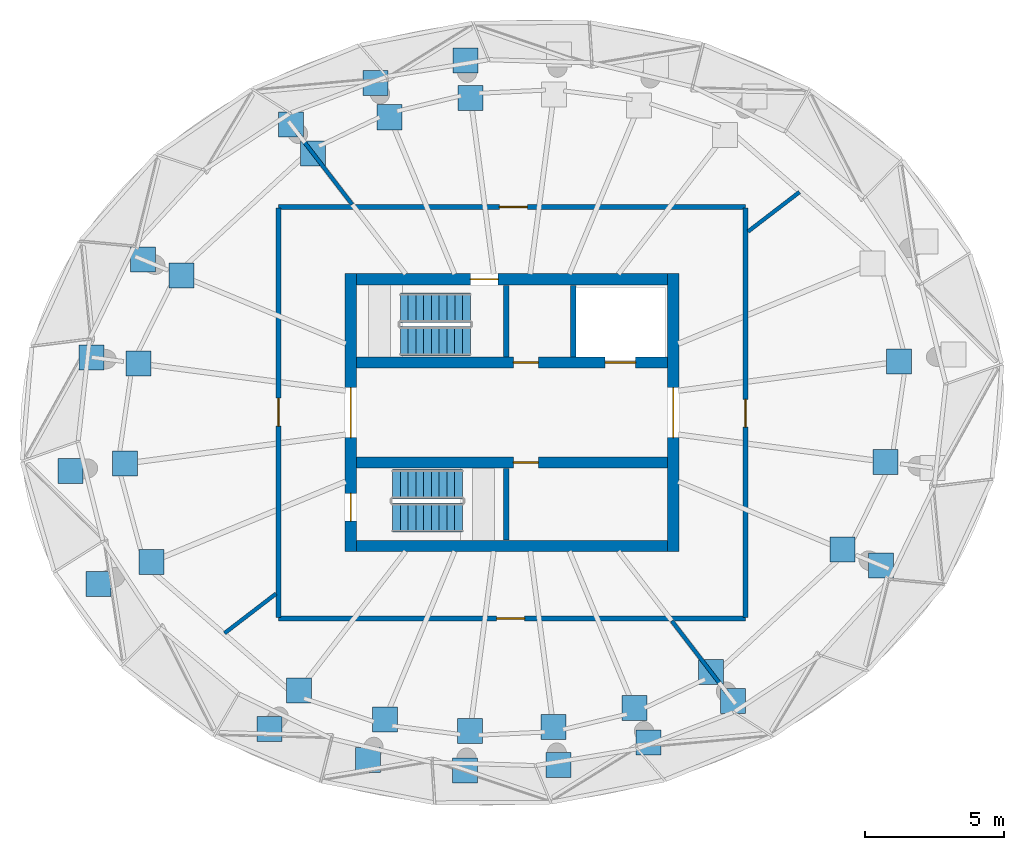
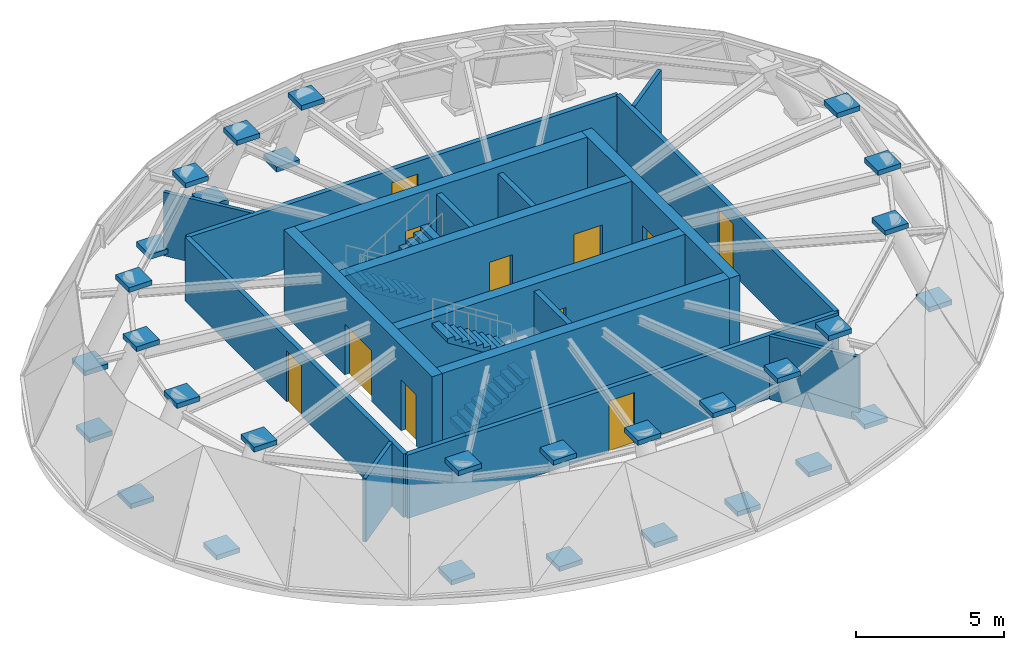
# One storey, part 7 of 9: 30 discrete accessories, 17 walls, 11 doors, 4 stair flights, 11 openings, 2 elements without a shape of their own.
"""IFC4 building model written with IfcOpenShell, lengths in metres."""

from ifc_helpers import new_model, si_unit, direction, frame, frame_2d, origin, origin_2d, place, context, subcontext, project, spatial, line, indexed_curve, rectangle, outline, extrude, source, transform, mapped, material, layer, layer_set, type_object, element, fill, aggregate, save


model = new_model("IFC4")

# Units and contexts
model_context = context("Model", 3, precision=1e-05, world=origin(), true_north=direction((0.0, 1.0)))
body_context = subcontext(model_context, "Body", "Model", "MODEL_VIEW")
ifc_project = project(units=[si_unit("LENGTHUNIT", "METRE"), si_unit("AREAUNIT", "SQUARE_METRE"), si_unit("VOLUMEUNIT", "CUBIC_METRE"), si_unit("PLANEANGLEUNIT", "RADIAN"), si_unit("MASSUNIT", "GRAM", prefix="KILO")], contexts=[model_context])

# Site, building, storey
site_placement = place(None, origin())
site = spatial("IfcSite", under=ifc_project, at=site_placement, CompositionType="ELEMENT")
building_placement = place(site_placement, origin())
building = spatial("IfcBuilding", under=site, at=building_placement, Name="Spindrift Exchange Tower", CompositionType="ELEMENT")
storey_placement = place(building_placement, frame((0.0, 0.0, 276.60009765625)))
storey = spatial("IfcBuildingStorey", under=building, at=storey_placement, Name="L68", CompositionType="ELEMENT", Elevation=276.60009765625)

# Wall, opening, door
ifc_material_1 = material(Name="Concrete 40 MPa", Category="concrete")
ifc_layer_1 = layer(ifc_material_1, 0.39990234375)
ifc_layer_set_1 = layer_set([ifc_layer_1], Name="RC Core Wall 400 Concrete 40 MPa")
wall_type_1 = type_object("IfcWallType", Name="RC Core Wall 400 Concrete 40 MPa", PredefinedType="SHEAR", material=ifc_layer_set_1)
wall_1_placement = place(storey_placement, frame((57.800048828125, 43.0, 0.0), z_axis=(0.0, 0.0, 1.0), x_axis=(0.0, 1.0, 0.0)))
wall_1 = element("IfcWall", 1, at=wall_1_placement, inside=storey, type_object=wall_type_1, Name="Core wall E L68", PredefinedType="SHEAR", context=body_context, shape_type="SweptSolid", body=[
    extrude(rectangle(XDim=10.0, YDim=0.39990234375, at=frame_2d((5.0, 0.0))), origin(), (0.0, 0.0, 1.0), 3.5),
])
opening_1_placement = place(wall_1_placement, frame((4.10009765625, 0.0, 0.0)))
opening_1 = element("IfcOpeningElement", 2, at=opening_1_placement, cuts=wall_1, Name="Opening L68-D2", PredefinedType="OPENING", context=body_context, shape_type="SweptSolid", body=[
    extrude(rectangle(XDim=1.800048828125, YDim=2.10009765625, at=frame_2d((0.89990234375, 1.050048828125))), frame((0.0, 0.2099609375, 0.0), z_axis=(0.0, -1.0, 0.0), x_axis=(1.0, 0.0, 0.0)), (0.0, 0.0, 1.0), 0.419921875),
])
ifc_material_2 = material(Name="Timber-core fire door", Category="wood")
door_type_1 = type_object("IfcDoorType", Name="DR-LOBBY-1800", OperationType="NOTDEFINED", PredefinedType="DOOR", material=ifc_material_2)
shared_shape_1 = source(origin(), body_context, "Body", "SweptSolid", [
    extrude(rectangle(XDim=1.800048828125, YDim=2.10009765625, at=frame_2d((0.89990234375, 1.050048828125))), frame((0.0, 0.02490234375, 0.0), z_axis=(0.0, -1.0, 0.0), x_axis=(1.0, 0.0, 0.0)), (0.0, 0.0, 1.0), 0.050048828125),
])
door_1_placement = place(opening_1_placement, origin())
door_1 = element("IfcDoor", 3, at=door_1_placement, inside=storey, type_object=door_type_1, Name="L68 Lobby door 2", OperationType="SINGLE_SWING_RIGHT", OverallHeight=2.10009765625, OverallWidth=1.800048828125, PredefinedType="DOOR", context=body_context, shape_type="MappedRepresentation", body=[
    mapped(shared_shape_1, transform((0.0, 0.0, 0.0), scale=1.0)),
])
fill(opening_1, door_1)

# Wall, openings, doors
wall_2_placement = place(storey_placement, frame((46.199951171875, 53.0, 0.0), z_axis=(0.0, 0.0, 1.0), x_axis=(0.0, -1.0, 0.0)))
wall_2 = element("IfcWall", 4, at=wall_2_placement, inside=storey, type_object=wall_type_1, Name="Core wall W L68", PredefinedType="SHEAR", context=body_context, shape_type="SweptSolid", body=[
    extrude(rectangle(XDim=10.0, YDim=0.39990234375, at=frame_2d((5.0, 0.0))), origin(), (0.0, 0.0, 1.0), 3.5),
])
opening_2_placement = place(wall_2_placement, frame((4.10009765625, 0.0, 0.0)))
opening_2 = element("IfcOpeningElement", 5, at=opening_2_placement, cuts=wall_2, Name="Opening L68-D1", PredefinedType="OPENING", context=body_context, shape_type="SweptSolid", body=[
    extrude(rectangle(XDim=1.800048828125, YDim=2.10009765625, at=frame_2d((0.89990234375, 1.050048828125))), frame((0.0, 0.2099609375, 0.0), z_axis=(0.0, -1.0, 0.0), x_axis=(1.0, 0.0, 0.0)), (0.0, 0.0, 1.0), 0.419921875),
])
opening_3_placement = place(wall_2_placement, frame((7.89990234375, 0.0, 0.0)))
opening_3 = element("IfcOpeningElement", 6, at=opening_3_placement, cuts=wall_2, Name="Opening L68-D4", PredefinedType="OPENING", context=body_context, shape_type="SweptSolid", body=[
    extrude(rectangle(XDim=1.0, YDim=2.10009765625, at=frame_2d((0.5, 1.050048828125))), frame((0.0, 0.2099609375, 0.0), z_axis=(0.0, -1.0, 0.0), x_axis=(1.0, 0.0, 0.0)), (0.0, 0.0, 1.0), 0.419921875),
])
door_2_placement = place(opening_2_placement, origin())
door_2 = element("IfcDoor", 7, at=door_2_placement, inside=storey, type_object=door_type_1, Name="L68 Lobby door 1", OperationType="SINGLE_SWING_LEFT", OverallHeight=2.10009765625, OverallWidth=1.800048828125, PredefinedType="DOOR", context=body_context, shape_type="MappedRepresentation", body=[
    mapped(shared_shape_1, transform((0.0, 0.0, 0.0), scale=1.0)),
])
fill(opening_2, door_2)
ifc_material_3 = material(Name="Steel fire door", Category="steel")
door_type_2 = type_object("IfcDoorType", Name="DR-STAIR-1000", OperationType="NOTDEFINED", PredefinedType="DOOR", material=ifc_material_3)
shared_shape_2 = source(origin(), body_context, "Body", "SweptSolid", [
    extrude(rectangle(XDim=1.0, YDim=2.10009765625, at=frame_2d((0.5, 1.050048828125))), frame((0.0, 0.02490234375, 0.0), z_axis=(0.0, -1.0, 0.0), x_axis=(1.0, 0.0, 0.0)), (0.0, 0.0, 1.0), 0.050048828125),
])
door_3_placement = place(opening_3_placement, origin())
door_3 = element("IfcDoor", 8, at=door_3_placement, inside=storey, type_object=door_type_2, Name="L68 Stair door 4", OperationType="SINGLE_SWING_RIGHT", OverallHeight=2.10009765625, OverallWidth=1.0, PredefinedType="DOOR", context=body_context, shape_type="MappedRepresentation", body=[
    mapped(shared_shape_2, transform((0.0, 0.0, 0.0), scale=1.0)),
])
fill(opening_3, door_3)

# Wall
wall_3_placement = place(storey_placement, frame((46.39990234375, 43.199951171875, 0.0), z_axis=(0.0, 0.0, 1.0), x_axis=(1.0, 0.0, 0.0)))
element("IfcWall", 9, at=wall_3_placement, inside=storey, type_object=wall_type_1, Name="Core wall S L68", PredefinedType="SHEAR", context=body_context, shape_type="SweptSolid", body=[
    extrude(rectangle(XDim=11.2001953125, YDim=0.39990234375, at=frame_2d((5.60009765625, 0.0))), origin(), (0.0, 0.0, 1.0), 3.5),
])

# Wall, opening, door
wall_4_placement = place(storey_placement, frame((57.60009765625, 52.800048828125, 0.0), z_axis=(0.0, 0.0, 1.0), x_axis=(-1.0, 0.0, 0.0)))
wall_4 = element("IfcWall", 10, at=wall_4_placement, inside=storey, type_object=wall_type_1, Name="Core wall N L68", PredefinedType="SHEAR", context=body_context, shape_type="SweptSolid", body=[
    extrude(rectangle(XDim=11.2001953125, YDim=0.39990234375, at=frame_2d((5.60009765625, 0.0))), origin(), (0.0, 0.0, 1.0), 3.5),
])
opening_4_placement = place(wall_4_placement, frame((6.10009765625, 0.0, 0.0)))
opening_4 = element("IfcOpeningElement", 11, at=opening_4_placement, cuts=wall_4, Name="Opening L68-D3", PredefinedType="OPENING", context=body_context, shape_type="SweptSolid", body=[
    extrude(rectangle(XDim=1.0, YDim=2.10009765625, at=frame_2d((0.5, 1.050048828125))), frame((0.0, 0.2099609375, 0.0), z_axis=(0.0, -1.0, 0.0), x_axis=(1.0, 0.0, 0.0)), (0.0, 0.0, 1.0), 0.419921875),
])
door_4_placement = place(opening_4_placement, origin())
door_4 = element("IfcDoor", 12, at=door_4_placement, inside=storey, type_object=door_type_2, Name="L68 Stair door 3", OperationType="SINGLE_SWING_LEFT", OverallHeight=2.10009765625, OverallWidth=1.0, PredefinedType="DOOR", context=body_context, shape_type="MappedRepresentation", body=[
    mapped(shared_shape_2, transform((0.0, 0.0, 0.0), scale=1.0)),
])
fill(opening_4, door_4)

# Wall, openings, doors
ifc_layer_2 = layer(ifc_material_1, 0.39990234375)
ifc_layer_set_2 = layer_set([ifc_layer_2], Name="RC Spine Wall 400 Concrete 40 MPa")
wall_type_2 = type_object("IfcWallType", Name="RC Spine Wall 400 Concrete 40 MPa", PredefinedType="SHEAR", material=ifc_layer_set_2)
wall_5_placement = place(storey_placement, frame((46.39990234375, 49.800048828125, 0.0), z_axis=(0.0, 0.0, 1.0), x_axis=(1.0, 0.0, 0.0)))
wall_5 = element("IfcWall", 13, at=wall_5_placement, inside=storey, type_object=wall_type_2, Name="Core spine wall N L68", PredefinedType="SHEAR", context=body_context, shape_type="SweptSolid", body=[
    extrude(rectangle(XDim=11.2001953125, YDim=0.39990234375, at=frame_2d((5.60009765625, 0.0))), origin(), (0.0, 0.0, 1.0), 3.5),
])
opening_5_placement = place(wall_5_placement, frame((8.949951171875, 0.0, 0.0)))
opening_5 = element("IfcOpeningElement", 14, at=opening_5_placement, cuts=wall_5, Name="Opening L68-D5", PredefinedType="OPENING", context=body_context, shape_type="SweptSolid", body=[
    extrude(rectangle(XDim=1.10009765625, YDim=2.10009765625, at=frame_2d((0.550048828125, 1.050048828125))), frame((0.0, 0.2099609375, 0.0), z_axis=(0.0, -1.0, 0.0), x_axis=(1.0, 0.0, 0.0)), (0.0, 0.0, 1.0), 0.419921875),
])
opening_6_placement = place(wall_5_placement, frame((5.64990234375, 0.0, 0.0)))
opening_6 = element("IfcOpeningElement", 15, at=opening_6_placement, cuts=wall_5, Name="Opening L68-D10", PredefinedType="OPENING", context=body_context, shape_type="SweptSolid", body=[
    extrude(rectangle(XDim=0.89990234375, YDim=2.10009765625, at=frame_2d((0.449951171875, 1.050048828125))), frame((0.0, 0.2099609375, 0.0), z_axis=(0.0, -1.0, 0.0), x_axis=(1.0, 0.0, 0.0)), (0.0, 0.0, 1.0), 0.419921875),
])
ifc_material_4 = material(Name="Stainless steel landing door", Category="steel")
door_type_3 = type_object("IfcDoorType", Name="DR-LANDING-1100-SL", OperationType="DOUBLE_DOOR_SLIDING", PredefinedType="USERDEFINED", material=ifc_material_4)
shared_shape_3 = source(origin(), body_context, "Body", "SweptSolid", [
    extrude(rectangle(XDim=1.10009765625, YDim=2.10009765625, at=frame_2d((0.550048828125, 1.050048828125))), frame((0.0, 0.02490234375, 0.0), z_axis=(0.0, -1.0, 0.0), x_axis=(1.0, 0.0, 0.0)), (0.0, 0.0, 1.0), 0.050048828125),
])
door_5_placement = place(opening_5_placement, origin())
door_5 = element("IfcDoor", 16, at=door_5_placement, inside=storey, type_object=door_type_3, Name="L68 Lift landing door 5", ObjectType="LANDING DOOR", OperationType="DOUBLE_DOOR_SLIDING", OverallHeight=2.10009765625, OverallWidth=1.10009765625, PredefinedType="USERDEFINED", context=body_context, shape_type="MappedRepresentation", body=[
    mapped(shared_shape_3, transform((0.0, 0.0, 0.0), scale=1.0)),
])
fill(opening_5, door_5)
ifc_material_5 = material(Name="Steel access door", Category="steel")
door_type_4 = type_object("IfcDoorType", Name="DR-RISER-900", OperationType="NOTDEFINED", PredefinedType="DOOR", material=ifc_material_5)
shared_shape_4 = source(origin(), body_context, "Body", "SweptSolid", [
    extrude(rectangle(XDim=0.89990234375, YDim=2.10009765625, at=frame_2d((0.449951171875, 1.050048828125))), frame((0.0, 0.02490234375, 0.0), z_axis=(0.0, -1.0, 0.0), x_axis=(1.0, 0.0, 0.0)), (0.0, 0.0, 1.0), 0.050048828125),
])
door_6_placement = place(opening_6_placement, origin())
door_6 = element("IfcDoor", 17, at=door_6_placement, inside=storey, type_object=door_type_4, Name="L68 Riser door 10", OperationType="SINGLE_SWING_LEFT", OverallHeight=2.10009765625, OverallWidth=0.89990234375, PredefinedType="DOOR", context=body_context, shape_type="MappedRepresentation", body=[
    mapped(shared_shape_4, transform((0.0, 0.0, 0.0), scale=1.0)),
])
fill(opening_6, door_6)

# Wall, opening, door
wall_6_placement = place(storey_placement, frame((46.39990234375, 46.199951171875, 0.0), z_axis=(0.0, 0.0, 1.0), x_axis=(1.0, 0.0, 0.0)))
wall_6 = element("IfcWall", 18, at=wall_6_placement, inside=storey, type_object=wall_type_2, Name="Core spine wall S L68", PredefinedType="SHEAR", context=body_context, shape_type="SweptSolid", body=[
    extrude(rectangle(XDim=11.2001953125, YDim=0.39990234375, at=frame_2d((5.60009765625, 0.0))), origin(), (0.0, 0.0, 1.0), 3.5),
])
opening_7_placement = place(wall_6_placement, frame((5.64990234375, 0.0, 0.0)))
opening_7 = element("IfcOpeningElement", 19, at=opening_7_placement, cuts=wall_6, Name="Opening L68-D11", PredefinedType="OPENING", context=body_context, shape_type="SweptSolid", body=[
    extrude(rectangle(XDim=0.89990234375, YDim=2.10009765625, at=frame_2d((0.449951171875, 1.050048828125))), frame((0.0, 0.2099609375, 0.0), z_axis=(0.0, -1.0, 0.0), x_axis=(1.0, 0.0, 0.0)), (0.0, 0.0, 1.0), 0.419921875),
])
door_7_placement = place(opening_7_placement, origin())
door_7 = element("IfcDoor", 20, at=door_7_placement, inside=storey, type_object=door_type_4, Name="L68 Riser door 11", OperationType="SINGLE_SWING_RIGHT", OverallHeight=2.10009765625, OverallWidth=0.89990234375, PredefinedType="DOOR", context=body_context, shape_type="MappedRepresentation", body=[
    mapped(shared_shape_4, transform((0.0, 0.0, 0.0), scale=1.0)),
])
fill(opening_7, door_7)

# Walls
ifc_material_6 = material(Name="Fire-rated plasterboard partition", Category="gypsum")
ifc_layer_3 = layer(ifc_material_6, 0.139892578125)
ifc_layer_set_3 = layer_set([ifc_layer_3], Name="W-PLANT-140")
wall_type_3 = type_object("IfcWallType", Name="W-PLANT-140", PredefinedType="PARTITIONING", material=ifc_layer_set_3)
for number, where, z_axis, x_axis, name in (
    (21, (60.489990234375, 54.5146484375, 0.0), (0.0, 0.0, 1.0), (0.793370454613, 0.608739124542, 0.0), "L68 Partition wall 8"),
    (22, (43.510009765625, 41.4853515625, 0.0), (0.0, 0.0, 1.0), (-0.793370454613, -0.608739124542, 0.0), "L68 Partition wall 9"),
):
    element("IfcWall", number, at=place(storey_placement, frame(where, z_axis=z_axis, x_axis=x_axis)), inside=storey, type_object=wall_type_3, Name=name, PredefinedType="PARTITIONING", context=body_context, shape_type="SweptSolid", body=[
        extrude(rectangle(XDim=2.33251953125, YDim=0.139892578125, at=frame_2d((1.166259765625, 0.0))), origin(), (0.0, 0.0, 1.0), 2.619873046875),
    ])
for number, where, z_axis, x_axis, name in (
    (23, (46.252685546875, 55.489990234375, 0.0), (0.0, 0.0, 1.0), (-0.608736894437, 0.793372165728, 0.0), "L68 Partition wall 10"),
    (24, (57.747314453125, 40.510009765625, 0.0), (0.0, 0.0, 1.0), (0.608736894437, -0.793372165728, 0.0), "L68 Partition wall 11"),
):
    element("IfcWall", number, at=place(storey_placement, frame(where, z_axis=z_axis, x_axis=x_axis)), inside=storey, type_object=wall_type_3, Name=name, PredefinedType="PARTITIONING", context=body_context, shape_type="SweptSolid", body=[
        extrude(rectangle(XDim=3.272705078125, YDim=0.139892578125, at=frame_2d((1.63623046875, 0.0))), origin(), (0.0, 0.0, 1.0), 2.619873046875),
    ])

# Wall, opening, door
ifc_layer_4 = layer(ifc_material_6, 0.179931640625)
ifc_layer_set_4 = layer_set([ifc_layer_4], Name="W-PLANT-180")
wall_type_4 = type_object("IfcWallType", Name="W-PLANT-180", PredefinedType="PARTITIONING", material=ifc_layer_set_4)
wall_7_placement = place(storey_placement, frame((43.60009765625, 55.39990234375, 0.0), z_axis=(0.0, 0.0, 1.0), x_axis=(1.0, 0.0, 0.0)))
wall_7 = element("IfcWall", 25, at=wall_7_placement, inside=storey, type_object=wall_type_4, Name="L68 Partition wall 4", PredefinedType="PARTITIONING", context=body_context, shape_type="SweptSolid", body=[
    extrude(rectangle(XDim=16.7998046875, YDim=0.179931640625, at=frame_2d((8.39990234375, 0.0))), origin(), (0.0, 0.0, 1.0), 2.619873046875),
])
opening_8_placement = place(wall_7_placement, frame((7.949951171875, 0.0, 0.0)))
opening_8 = element("IfcOpeningElement", 26, at=opening_8_placement, cuts=wall_7, Name="Opening L68-D7", PredefinedType="OPENING", context=body_context, shape_type="SweptSolid", body=[
    extrude(rectangle(XDim=1.0, YDim=2.10009765625, at=frame_2d((0.5, 1.050048828125))), frame((0.0, 0.099853515625, 0.0), z_axis=(0.0, -1.0, 0.0), x_axis=(1.0, 0.0, 0.0)), (0.0, 0.0, 1.0), 0.199951171875),
])
door_type_5 = type_object("IfcDoorType", Name="DR-ROOM-1000", OperationType="NOTDEFINED", PredefinedType="DOOR", material=ifc_material_2)
shared_shape_5 = source(origin(), body_context, "Body", "SweptSolid", [
    extrude(rectangle(XDim=1.0, YDim=2.10009765625, at=frame_2d((0.5, 1.050048828125))), frame((0.0, 0.02490234375, 0.0), z_axis=(0.0, -1.0, 0.0), x_axis=(1.0, 0.0, 0.0)), (0.0, 0.0, 1.0), 0.050048828125),
])
door_8_placement = place(opening_8_placement, origin())
door_8 = element("IfcDoor", 27, at=door_8_placement, inside=storey, type_object=door_type_5, Name="L68 Door 7", OperationType="SINGLE_SWING_RIGHT", OverallHeight=2.10009765625, OverallWidth=1.0, PredefinedType="DOOR", context=body_context, shape_type="MappedRepresentation", body=[
    mapped(shared_shape_5, transform((0.0, 0.0, 0.0), scale=1.0)),
])
fill(opening_8, door_8)

wall_8_placement = place(storey_placement, frame((60.39990234375, 40.60009765625, 0.0), z_axis=(0.0, 0.0, 1.0), x_axis=(-1.0, 0.0, 0.0)))
wall_8 = element("IfcWall", 28, at=wall_8_placement, inside=storey, type_object=wall_type_4, Name="L68 Partition wall 5", PredefinedType="PARTITIONING", context=body_context, shape_type="SweptSolid", body=[
    extrude(rectangle(XDim=16.7998046875, YDim=0.179931640625, at=frame_2d((8.39990234375, 0.0))), origin(), (0.0, 0.0, 1.0), 2.619873046875),
])
opening_9_placement = place(wall_8_placement, frame((7.949951171875, 0.0, 0.0)))
opening_9 = element("IfcOpeningElement", 29, at=opening_9_placement, cuts=wall_8, Name="Opening L68-D9", PredefinedType="OPENING", context=body_context, shape_type="SweptSolid", body=[
    extrude(rectangle(XDim=1.0, YDim=2.10009765625, at=frame_2d((0.5, 1.050048828125))), frame((0.0, 0.099853515625, 0.0), z_axis=(0.0, -1.0, 0.0), x_axis=(1.0, 0.0, 0.0)), (0.0, 0.0, 1.0), 0.199951171875),
])
door_9_placement = place(opening_9_placement, origin())
door_9 = element("IfcDoor", 30, at=door_9_placement, inside=storey, type_object=door_type_5, Name="L68 Door 9", OperationType="SINGLE_SWING_RIGHT", OverallHeight=2.10009765625, OverallWidth=1.0, PredefinedType="DOOR", context=body_context, shape_type="MappedRepresentation", body=[
    mapped(shared_shape_5, transform((0.0, 0.0, 0.0), scale=1.0)),
])
fill(opening_9, door_9)

wall_9_placement = place(storey_placement, frame((60.39990234375, 55.3701171875, 0.0), z_axis=(0.0, 0.0, 1.0), x_axis=(0.0, -1.0, 0.0)))
wall_9 = element("IfcWall", 31, at=wall_9_placement, inside=storey, type_object=wall_type_4, Name="L68 Partition wall 6", PredefinedType="PARTITIONING", context=body_context, shape_type="SweptSolid", body=[
    extrude(rectangle(XDim=14.740234375, YDim=0.179931640625, at=frame_2d((7.3701171875, 0.0))), origin(), (0.0, 0.0, 1.0), 2.619873046875),
])
opening_10_placement = place(wall_9_placement, frame((6.889892578125, 0.0, 0.0)))
opening_10 = element("IfcOpeningElement", 32, at=opening_10_placement, cuts=wall_9, Name="Opening L68-D6", PredefinedType="OPENING", context=body_context, shape_type="SweptSolid", body=[
    extrude(rectangle(XDim=1.0, YDim=2.10009765625, at=frame_2d((0.5, 1.050048828125))), frame((0.0, 0.099853515625, 0.0), z_axis=(0.0, -1.0, 0.0), x_axis=(1.0, 0.0, 0.0)), (0.0, 0.0, 1.0), 0.199951171875),
])
door_10_placement = place(opening_10_placement, origin())
door_10 = element("IfcDoor", 33, at=door_10_placement, inside=storey, type_object=door_type_5, Name="L68 Door 6", OperationType="SINGLE_SWING_LEFT", OverallHeight=2.10009765625, OverallWidth=1.0, PredefinedType="DOOR", context=body_context, shape_type="MappedRepresentation", body=[
    mapped(shared_shape_5, transform((0.0, 0.0, 0.0), scale=1.0)),
])
fill(opening_10, door_10)

wall_10_placement = place(storey_placement, frame((43.60009765625, 40.6298828125, 0.0), z_axis=(0.0, 0.0, 1.0), x_axis=(0.0, 1.0, 0.0)))
wall_10 = element("IfcWall", 34, at=wall_10_placement, inside=storey, type_object=wall_type_4, Name="L68 Partition wall 7", PredefinedType="PARTITIONING", context=body_context, shape_type="SweptSolid", body=[
    extrude(rectangle(XDim=14.740234375, YDim=0.179931640625, at=frame_2d((7.3701171875, 0.0))), origin(), (0.0, 0.0, 1.0), 2.619873046875),
])
opening_11_placement = place(wall_10_placement, frame((6.889892578125, 0.0, 0.0)))
opening_11 = element("IfcOpeningElement", 35, at=opening_11_placement, cuts=wall_10, Name="Opening L68-D8", PredefinedType="OPENING", context=body_context, shape_type="SweptSolid", body=[
    extrude(rectangle(XDim=1.0, YDim=2.10009765625, at=frame_2d((0.5, 1.050048828125))), frame((0.0, 0.099853515625, 0.0), z_axis=(0.0, -1.0, 0.0), x_axis=(1.0, 0.0, 0.0)), (0.0, 0.0, 1.0), 0.199951171875),
])
door_11_placement = place(opening_11_placement, origin())
door_11 = element("IfcDoor", 36, at=door_11_placement, inside=storey, type_object=door_type_5, Name="L68 Door 8", OperationType="SINGLE_SWING_LEFT", OverallHeight=2.10009765625, OverallWidth=1.0, PredefinedType="DOOR", context=body_context, shape_type="MappedRepresentation", body=[
    mapped(shared_shape_5, transform((0.0, 0.0, 0.0), scale=1.0)),
])
fill(opening_11, door_11)

# Walls
ifc_layer_5 = layer(ifc_material_1, 0.199951171875)
ifc_layer_set_5 = layer_set([ifc_layer_5], Name="W-SHAFT-200")
wall_type_5 = type_object("IfcWallType", Name="W-SHAFT-200", PredefinedType="SOLIDWALL", material=ifc_layer_set_5)
wall_11_placement = place(storey_placement, frame((54.199951171875, 52.580078125, 0.0), z_axis=(0.0, 0.0, 1.0), x_axis=(0.0, -1.0, 0.0)))
element("IfcWall", 37, at=wall_11_placement, inside=storey, type_object=wall_type_5, Name="L68 Shaft wall 3", PredefinedType="SOLIDWALL", context=body_context, shape_type="SweptSolid", body=[
    extrude(rectangle(XDim=2.570068359375, YDim=0.199951171875, at=frame_2d((1.28515625, 0.0))), origin(), (0.0, 0.0, 1.0), 3.219970703125),
])
ifc_layer_6 = layer(ifc_material_1, 0.199951171875)
ifc_layer_set_6 = layer_set([ifc_layer_6], Name="W-SHAFT-200-LB")
wall_type_6 = type_object("IfcWallType", Name="W-SHAFT-200-LB", PredefinedType="SOLIDWALL", material=ifc_layer_set_6)
for number, where, z_axis, x_axis, name in (
    (38, (51.800048828125, 43.419921875, 0.0), (0.0, 0.0, 1.0), (0.0, 1.0, 0.0), "L68 Shaft wall 1"),
    (39, (51.800048828125, 50.010009765625, 0.0), (0.0, 0.0, 1.0), (0.0, 1.0, 0.0), "L68 Shaft wall 2"),
):
    element("IfcWall", number, at=place(storey_placement, frame(where, z_axis=z_axis, x_axis=x_axis)), inside=storey, type_object=wall_type_6, Name=name, PredefinedType="SOLIDWALL", context=body_context, shape_type="SweptSolid", body=[
        extrude(rectangle(XDim=2.570068359375, YDim=0.199951171875, at=frame_2d((1.28515625, 0.0))), origin(), (0.0, 0.0, 1.0), 3.219970703125),
    ])

# Stair, stair flights
ifc_material_7 = material(Name="Concrete 50 MPa", Category="concrete")
stair_type = type_object("IfcStairType", Name="ST-1050-R175", PredefinedType="HALF_TURN_STAIR", material=ifc_material_7)
stair_1_placement = place(storey_placement, origin())
stair_1 = element("IfcStair", 40, at=stair_1_placement, inside=storey, type_object=stair_type, Name="L68 Exit stair ST3", PredefinedType="HALF_TURN_STAIR")
stair_flight_type = type_object("IfcStairFlightType", Name="STF-1050-R175", PredefinedType="STRAIGHT", material=ifc_material_7)
stair_flight_1_placement = place(storey_placement, frame((50.5, 51.77490234375, 0.0), z_axis=(0.0, 0.0, 1.0), x_axis=(-1.0, 0.0, 0.0)))
stair_flight_1 = element("IfcStairFlight", 41, at=stair_flight_1_placement, type_object=stair_flight_type, Name="ST3 flight 1", NumberOfRisers=10, NumberOfTreads=9, PredefinedType="STRAIGHT", RiserHeight=0.175, TreadLength=0.28, context=body_context, shape_type="SweptSolid", body=[
    extrude(outline(indexed_curve([(0.0, 0.0), (0.0, 0.1748046875), (0.2802734375, 0.1748046875), (0.2802734375, 0.349609375), (0.5595703125, 0.349609375), (0.5595703125, 0.525390625), (0.83984375, 0.525390625), (0.83984375, 0.7001953125), (1.1201171875, 0.7001953125), (1.1201171875, 0.875), (1.400390625, 0.875), (1.400390625, 1.0498046875), (1.6796875, 1.0498046875), (1.6796875, 1.224609375), (1.9599609375, 1.224609375), (1.9599609375, 1.400390625), (2.240234375, 1.400390625), (2.240234375, 1.5751953125), (2.51953125, 1.5751953125), (2.51953125, 1.75), (2.51953125, 1.3984375), (0.283203125, 0.0)], segments=[line(1, 2, 3, 4, 5, 6, 7, 8, 9, 10, 11, 12, 13, 14, 15, 16, 17, 18, 19, 20, 21, 22, 1)], self_intersect=False)), frame((0.0, 0.52490234375, 0.0), z_axis=(0.0, -1.0, 0.0), x_axis=(1.0, 0.0, 0.0)), (0.0, 0.0, 1.0), 1.050048828125),
])
stair_flight_2_placement = place(storey_placement, frame((47.97998046875, 50.574951171875, 1.75), z_axis=(0.0, 0.0, 1.0), x_axis=(1.0, 0.0, 0.0)))
stair_flight_2 = element("IfcStairFlight", 42, at=stair_flight_2_placement, type_object=stair_flight_type, Name="ST3 flight 2", NumberOfRisers=10, NumberOfTreads=9, PredefinedType="STRAIGHT", RiserHeight=0.175, TreadLength=0.28, context=body_context, shape_type="SweptSolid", body=[
    extrude(outline(indexed_curve([(0.0, 0.0), (0.0, 0.1748046875), (0.2802734375, 0.1748046875), (0.2802734375, 0.349609375), (0.5595703125, 0.349609375), (0.5595703125, 0.525390625), (0.83984375, 0.525390625), (0.83984375, 0.7001953125), (1.1201171875, 0.7001953125), (1.1201171875, 0.875), (1.400390625, 0.875), (1.400390625, 1.0498046875), (1.6796875, 1.0498046875), (1.6796875, 1.224609375), (1.9599609375, 1.224609375), (1.9599609375, 1.400390625), (2.240234375, 1.400390625), (2.240234375, 1.5751953125), (2.51953125, 1.5751953125), (2.51953125, 1.75), (2.51953125, 1.3984375), (0.283203125, 0.0)], segments=[line(1, 2, 3, 4, 5, 6, 7, 8, 9, 10, 11, 12, 13, 14, 15, 16, 17, 18, 19, 20, 21, 22, 1)], self_intersect=False)), frame((0.0, 0.52490234375, 0.0), z_axis=(0.0, -1.0, 0.0), x_axis=(1.0, 0.0, 0.0)), (0.0, 0.0, 1.0), 1.050048828125),
])
aggregate(stair_1, [stair_flight_1, stair_flight_2])

stair_2_placement = place(storey_placement, origin())
stair_2 = element("IfcStair", 43, at=stair_2_placement, inside=storey, type_object=stair_type, Name="L68 Exit stair ST4", PredefinedType="HALF_TURN_STAIR")
stair_flight_3_placement = place(storey_placement, frame((47.699951171875, 44.22509765625, 0.0), z_axis=(0.0, 0.0, 1.0), x_axis=(1.0, 0.0, 0.0)))
stair_flight_3 = element("IfcStairFlight", 44, at=stair_flight_3_placement, type_object=stair_flight_type, Name="ST4 flight 1", NumberOfRisers=10, NumberOfTreads=9, PredefinedType="STRAIGHT", RiserHeight=0.175, TreadLength=0.28, context=body_context, shape_type="SweptSolid", body=[
    extrude(outline(indexed_curve([(0.0, 0.0), (0.0, 0.1748046875), (0.2802734375, 0.1748046875), (0.2802734375, 0.349609375), (0.5595703125, 0.349609375), (0.5595703125, 0.525390625), (0.83984375, 0.525390625), (0.83984375, 0.7001953125), (1.1201171875, 0.7001953125), (1.1201171875, 0.875), (1.400390625, 0.875), (1.400390625, 1.0498046875), (1.6796875, 1.0498046875), (1.6796875, 1.224609375), (1.9599609375, 1.224609375), (1.9599609375, 1.400390625), (2.240234375, 1.400390625), (2.240234375, 1.5751953125), (2.51953125, 1.5751953125), (2.51953125, 1.75), (2.51953125, 1.3984375), (0.283203125, 0.0)], segments=[line(1, 2, 3, 4, 5, 6, 7, 8, 9, 10, 11, 12, 13, 14, 15, 16, 17, 18, 19, 20, 21, 22, 1)], self_intersect=False)), frame((0.0, 0.52490234375, 0.0), z_axis=(0.0, -1.0, 0.0), x_axis=(1.0, 0.0, 0.0)), (0.0, 0.0, 1.0), 1.050048828125),
])
stair_flight_4_placement = place(storey_placement, frame((50.219970703125, 45.425048828125, 1.75), z_axis=(0.0, 0.0, 1.0), x_axis=(-1.0, 0.0, 0.0)))
stair_flight_4 = element("IfcStairFlight", 45, at=stair_flight_4_placement, type_object=stair_flight_type, Name="ST4 flight 2", NumberOfRisers=10, NumberOfTreads=9, PredefinedType="STRAIGHT", RiserHeight=0.175, TreadLength=0.28, context=body_context, shape_type="SweptSolid", body=[
    extrude(outline(indexed_curve([(0.0, 0.0), (0.0, 0.1748046875), (0.2802734375, 0.1748046875), (0.2802734375, 0.349609375), (0.5595703125, 0.349609375), (0.5595703125, 0.525390625), (0.83984375, 0.525390625), (0.83984375, 0.7001953125), (1.1201171875, 0.7001953125), (1.1201171875, 0.875), (1.400390625, 0.875), (1.400390625, 1.0498046875), (1.6796875, 1.0498046875), (1.6796875, 1.224609375), (1.9599609375, 1.224609375), (1.9599609375, 1.400390625), (2.240234375, 1.400390625), (2.240234375, 1.5751953125), (2.51953125, 1.5751953125), (2.51953125, 1.75), (2.51953125, 1.3984375), (0.283203125, 0.0)], segments=[line(1, 2, 3, 4, 5, 6, 7, 8, 9, 10, 11, 12, 13, 14, 15, 16, 17, 18, 19, 20, 21, 22, 1)], self_intersect=False)), frame((0.0, 0.52490234375, 0.0), z_axis=(0.0, -1.0, 0.0), x_axis=(1.0, 0.0, 0.0)), (0.0, 0.0, 1.0), 1.050048828125),
])
aggregate(stair_2, [stair_flight_3, stair_flight_4])

# Discrete accessories
ifc_material_8 = material(Name="Steel Grade 350", Category="steel")
ifc_layer_7 = layer(ifc_material_8, 0.89990234375)
ifc_layer_set_7 = layer_set([ifc_layer_7], Name="Bearing shoe 900x900x200 Steel Grade 350")
discrete_accessory_type = type_object("IfcDiscreteAccessoryType", Name="Bearing shoe 900x900x200 Steel Grade 350", PredefinedType="USERDEFINED", material=ifc_layer_set_7)
shared_shape_6 = source(origin(), body_context, "Body", "SweptSolid", [
    extrude(rectangle(XDim=0.89990234375, YDim=0.89990234375, at=origin_2d()), origin(), (0.0, 0.0, 1.0), 0.199951171875),
])
for number, where, z_axis, x_axis, name in (
    (46, (65.929443359375, 49.833984375, 3.47412109375), (0.0, 0.0, 1.0), (1.0, 0.0, 0.0), "L68 bearing shoe 01 head"),
    (47, (50.331298828125, 60.676025390625, 0.130859375), (0.0, 0.0, 1.0), (1.0, 0.0, 0.0), "L68 bearing shoe 07 foot"),
    (48, (50.51025390625, 59.316162109375, 3.4306640625), (0.0, 0.0, 1.0), (1.0, 0.0, 0.0), "L68 bearing shoe 07 head"),
    (49, (47.086181640625, 59.863037109375, 0.1279296875), (0.0, 0.0, 1.0), (1.0, 0.0, 0.0), "L68 bearing shoe 08 foot"),
    (50, (47.597900390625, 58.627685546875, 3.427734375), (0.0, 0.0, 1.0), (1.0, 0.0, 0.0), "L68 bearing shoe 08 head"),
    (51, (44.04443359375, 58.367919921875, 0.1259765625), (0.0, 0.0, 1.0), (1.0, 0.0, 0.0), "L68 bearing shoe 09 foot"),
    (52, (44.8447265625, 57.324951171875, 3.42578125), (0.0, 0.0, 1.0), (1.0, 0.0, 0.0), "L68 bearing shoe 09 head"),
    (53, (38.717529296875, 53.501708984375, 0.140625), (0.0, 0.0, 1.0), (1.0, 0.0, 0.0), "L68 bearing shoe 11 foot"),
    (54, (40.10205078125, 52.92822265625, 3.44091796875), (0.0, 0.0, 1.0), (1.0, 0.0, 0.0), "L68 bearing shoe 11 head"),
    (55, (36.863525390625, 49.99267578125, 0.1572265625), (0.0, 0.0, 1.0), (1.0, 0.0, 0.0), "L68 bearing shoe 12 foot"),
    (56, (38.5654296875, 49.768798828125, 3.45703125), (0.0, 0.0, 1.0), (1.0, 0.0, 0.0), "L68 bearing shoe 12 head"),
    (57, (36.12109375, 45.909423828125, 0.17431640625), (0.0, 0.0, 1.0), (1.0, 0.0, 0.0), "L68 bearing shoe 13 foot"),
    (58, (38.070556640625, 46.166015625, 3.47412109375), (0.0, 0.0, 1.0), (1.0, 0.0, 0.0), "L68 bearing shoe 13 head"),
    (59, (37.11669921875, 41.835205078125, 0.181640625), (0.0, 0.0, 1.0), (1.0, 0.0, 0.0), "L68 bearing shoe 14 foot"),
    (60, (39.034912109375, 42.629638671875, 3.4814453125), (0.0, 0.0, 1.0), (1.0, 0.0, 0.0), "L68 bearing shoe 14 head"),
    (61, (43.269775390625, 36.62255859375, 0.15869140625), (0.0, 0.0, 1.0), (1.0, 0.0, 0.0), "L68 bearing shoe 16 foot"),
    (62, (44.328125, 38.001953125, 3.45849609375), (0.0, 0.0, 1.0), (1.0, 0.0, 0.0), "L68 bearing shoe 16 head"),
    (63, (46.825439453125, 35.5078125, 0.1455078125), (0.0, 0.0, 1.0), (1.0, 0.0, 0.0), "L68 bearing shoe 17 foot"),
    (64, (47.42431640625, 36.952880859375, 3.44580078125), (0.0, 0.0, 1.0), (1.0, 0.0, 0.0), "L68 bearing shoe 17 head"),
    (65, (50.3046875, 35.122802734375, 0.13623046875), (0.0, 0.0, 1.0), (1.0, 0.0, 0.0), "L68 bearing shoe 18 foot"),
    (66, (50.49267578125, 36.5498046875, 3.43603515625), (0.0, 0.0, 1.0), (1.0, 0.0, 0.0), "L68 bearing shoe 18 head"),
    (67, (53.668701171875, 35.323974609375, 0.130859375), (0.0, 0.0, 1.0), (1.0, 0.0, 0.0), "L68 bearing shoe 19 foot"),
    (68, (53.48974609375, 36.683837890625, 3.4306640625), (0.0, 0.0, 1.0), (1.0, 0.0, 0.0), "L68 bearing shoe 19 head"),
    (69, (56.913818359375, 36.136962890625, 0.1279296875), (0.0, 0.0, 1.0), (1.0, 0.0, 0.0), "L68 bearing shoe 20 foot"),
    (70, (56.402099609375, 37.372314453125, 3.427734375), (0.0, 0.0, 1.0), (1.0, 0.0, 0.0), "L68 bearing shoe 20 head"),
    (71, (59.95556640625, 37.632080078125, 0.1259765625), (0.0, 0.0, 1.0), (1.0, 0.0, 0.0), "L68 bearing shoe 21 foot"),
    (72, (59.1552734375, 38.675048828125, 3.42578125), (0.0, 0.0, 1.0), (1.0, 0.0, 0.0), "L68 bearing shoe 21 head"),
    (73, (65.282470703125, 42.498291015625, 0.140625), (0.0, 0.0, 1.0), (1.0, 0.0, 0.0), "L68 bearing shoe 23 foot"),
    (74, (63.89794921875, 43.07177734375, 3.44091796875), (0.0, 0.0, 1.0), (1.0, 0.0, 0.0), "L68 bearing shoe 23 head"),
    (75, (65.4345703125, 46.231201171875, 3.45703125), (0.0, 0.0, 1.0), (1.0, 0.0, 0.0), "L68 bearing shoe 24 head"),
):
    element("IfcDiscreteAccessory", number, at=place(storey_placement, frame(where, z_axis=z_axis, x_axis=x_axis)), inside=storey, type_object=discrete_accessory_type, Name=name, ObjectType="Bearing shoe", PredefinedType="USERDEFINED", context=body_context, shape_type="MappedRepresentation", body=[
        mapped(shared_shape_6, transform((0.0, 0.0, 0.0), scale=1.0)),
    ])

save(model, "model.ifc")
